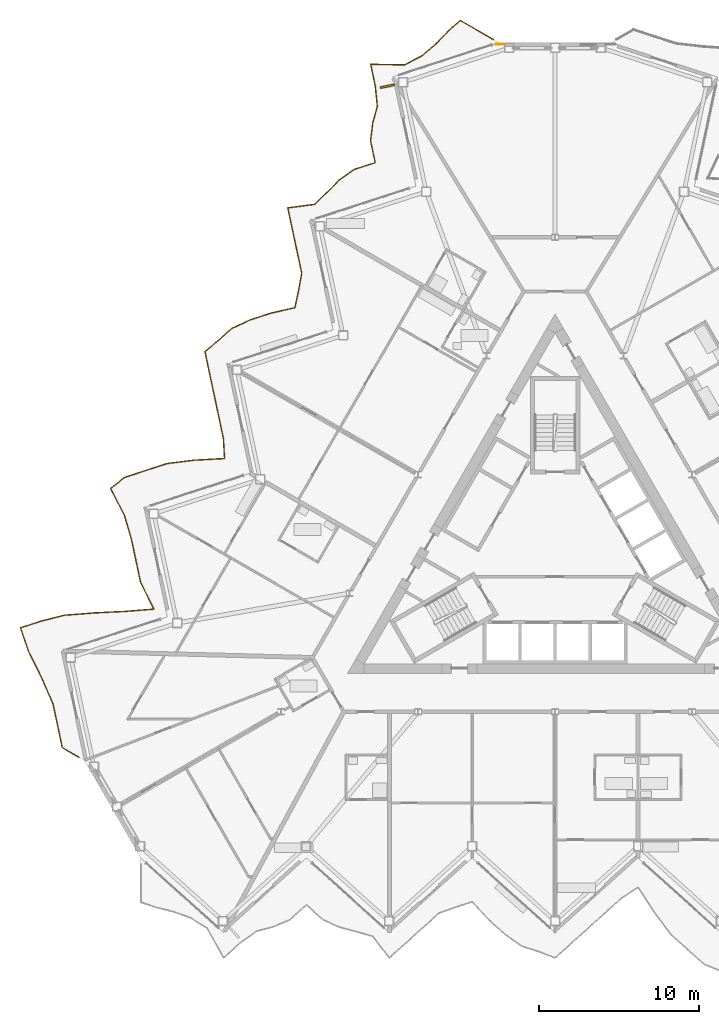
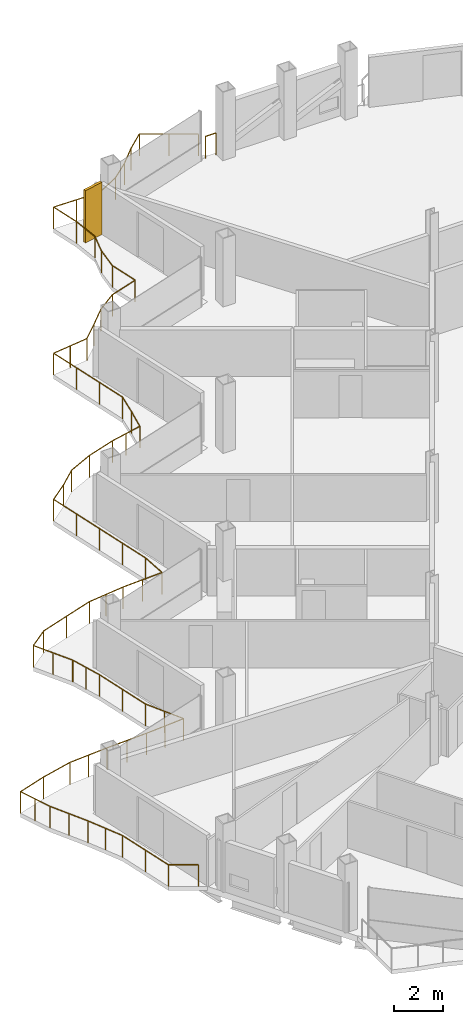
# One storey, part 25 of 28: 2 railings, 1 shading device.
"""IFC4 building model written with IfcOpenShell, lengths in metres."""

from ifc_helpers import new_model, si_unit, direction, frame, origin, origin_2d, place, context, subcontext, project, spatial, rectangle, circle, extrude, material, layer, layer_set, type_object, element, save


model = new_model("IFC4")

# Units and contexts
model_context = context("Model", 3, precision=1e-05, world=origin(), true_north=direction((0.0, 1.0)))
body_context = subcontext(model_context, "Body", "Model", "MODEL_VIEW")
ifc_project = project(units=[si_unit("LENGTHUNIT", "METRE"), si_unit("AREAUNIT", "SQUARE_METRE"), si_unit("VOLUMEUNIT", "CUBIC_METRE"), si_unit("PLANEANGLEUNIT", "RADIAN"), si_unit("MASSUNIT", "GRAM", prefix="KILO")], contexts=[model_context])

# Site, building, storey
site_placement = place(None, origin())
site = spatial("IfcSite", under=ifc_project, at=site_placement, CompositionType="ELEMENT")
building_placement = place(site_placement, origin())
building = spatial("IfcBuilding", under=site, at=building_placement, Name="Cormorant Prow Tower", CompositionType="ELEMENT")
storey_placement = place(building_placement, frame((0.0, 0.0, 305.199951171875)))
storey = spatial("IfcBuildingStorey", under=building, at=storey_placement, Name="L66", CompositionType="ELEMENT", Elevation=305.199951171875)

# Railings
ifc_material_1 = material(Name="Aluminium 6063-T6", Category="aluminium")
railing_type_1 = type_object("IfcRailingType", Name="Balcony guard 1100", PredefinedType="GUARDRAIL", material=ifc_material_1)
railing_1_placement = place(storey_placement, frame((-3.853759765625, 32.19482421875, 0.0)))
element("IfcRailing", 1, at=railing_1_placement, inside=storey, type_object=railing_type_1, Name="Balcony guard WNW", PredefinedType="GUARDRAIL", context=body_context, shape_type="SweptSolid", body=[
    extrude(circle(Radius=0.02392578125, at=origin_2d()), frame((0.0, 0.0, 1.076171875), z_axis=(-0.865984316205, 0.500071159023, 0.0), x_axis=(-0.500071159023, -0.865984316205, 0.0)), (0.0, 0.0, 1.0), 2.404052734375),
    extrude(circle(Radius=0.02392578125, at=origin_2d()), frame((-2.081787109375, 1.2021484375, 1.076171875), z_axis=(-0.747089038768, -0.664723978921, 0.0), x_axis=(0.664723978921, -0.747089038768, 0.0)), (0.0, 0.0, 1.0), 1.09375),
    extrude(circle(Radius=0.02392578125, at=origin_2d()), frame((-2.89892578125, 0.47509765625, 1.076171875), z_axis=(-0.694211586082, -0.719770987016, 0.0), x_axis=(0.719770987016, -0.694211586082, 0.0)), (0.0, 0.0, 1.0), 1.06982421875),
    extrude(circle(Radius=0.02392578125, at=origin_2d()), frame((-3.6416015625, -0.294921875, 1.076171875), z_axis=(-0.762032199561, -0.647539131507, 0.0), x_axis=(0.647539131507, -0.762032199561, 0.0)), (0.0, 0.0, 1.0), 1.1025390625),
    extrude(circle(Radius=0.02392578125, at=origin_2d()), frame((-4.481689453125, -1.0087890625, 1.076171875), z_axis=(-0.882981427981, -0.469407922644, 0.0), x_axis=(0.469407922644, -0.882981427981, 0.0)), (0.0, 0.0, 1.0), 1.224365234375),
    extrude(circle(Radius=0.02392578125, at=origin_2d()), frame((-5.562744140625, -1.58349609375, 1.076171875), z_axis=(-0.999864732402, 0.016447397928, 0.0), x_axis=(-0.016447397928, -0.999864732402, 0.0)), (0.0, 0.0, 1.0), 2.137451171875),
    extrude(circle(Radius=0.02392578125, at=origin_2d()), frame((-7.699951171875, -1.54833984375, 1.076171875), z_axis=(0.207929807467, -0.978143749746, 0.0), x_axis=(0.978143749746, 0.207929807467, 0.0)), (0.0, 0.0, 1.0), 1.397216796875),
    extrude(circle(Radius=0.02392578125, at=origin_2d()), frame((-7.409423828125, -2.9150390625, 1.076171875), z_axis=(0.097534282196, -0.995232165777, 0.0), x_axis=(0.995232165777, 0.097534282196, 0.0)), (0.0, 0.0, 1.0), 1.276611328125),
    extrude(circle(Radius=0.02392578125, at=origin_2d()), frame((-7.284912109375, -4.185546875, 1.076171875), z_axis=(-0.266293644334, -0.963891951926, 0.0), x_axis=(0.963891951926, -0.266293644334, 0.0)), (0.0, 0.0, 1.0), 1.07275390625),
    extrude(circle(Radius=0.02392578125, at=origin_2d()), frame((-7.570556640625, -5.219482421875, 1.076171875), z_axis=(-0.120971161182, -0.992656022075, 0.0), x_axis=(0.992656022075, -0.120971161182, 0.0)), (0.0, 0.0, 1.0), 1.128173828125),
    extrude(circle(Radius=0.02392578125, at=origin_2d()), frame((-7.70703125, -6.33935546875, 1.076171875), z_axis=(0.207798139517, -0.978171729919, 0.0), x_axis=(0.978171729919, 0.207798139517, 0.0)), (0.0, 0.0, 1.0), 1.39697265625),
    extrude(circle(Radius=0.02392578125, at=origin_2d()), frame((-7.416748046875, -7.705810546875, 1.076171875), z_axis=(-0.951016087818, -0.309141392751, 0.0), x_axis=(0.309141392751, -0.951016087818, 0.0)), (0.0, 0.0, 1.0), 1.39697265625),
    extrude(circle(Radius=0.02392578125, at=origin_2d()), frame((-8.745361328125, -8.1376953125, 1.076171875), z_axis=(-0.811729495463, -0.584033583106, 0.0), x_axis=(0.584033583106, -0.811729495463, 0.0)), (0.0, 0.0, 1.0), 1.138671875),
    extrude(circle(Radius=0.02392578125, at=origin_2d()), frame((-9.669677734375, -8.802734375, 1.076171875), z_axis=(-0.703572168412, -0.710623813165, 0.0), x_axis=(0.710623813165, -0.703572168412, 0.0)), (0.0, 0.0, 1.0), 1.0732421875),
    extrude(circle(Radius=0.02392578125, at=origin_2d()), frame((-10.4248046875, -9.5654296875, 1.076171875), z_axis=(-0.718102453364, -0.69593740126, 0.0), x_axis=(0.69593740126, -0.718102453364, 0.0)), (0.0, 0.0, 1.0), 1.079345703125),
    extrude(circle(Radius=0.02392578125, at=origin_2d()), frame((-11.199951171875, -10.316650390625, 1.076171875), z_axis=(-0.991439182662, -0.130569319074, 0.0), x_axis=(0.130569319074, -0.991439182662, 0.0)), (0.0, 0.0, 1.0), 1.705322265625),
    extrude(circle(Radius=0.02392578125, at=origin_2d()), frame((-12.890625, -10.539306640625, 1.076171875), z_axis=(0.207762621885, -0.978179274442, 0.0), x_axis=(0.978179274442, 0.207762621885, 0.0)), (0.0, 0.0, 1.0), 1.397216796875),
    extrude(circle(Radius=0.02392578125, at=origin_2d()), frame((-12.600341796875, -11.906005859375, 1.076171875), z_axis=(0.207965351097, -0.978136193351, 0.0), x_axis=(0.978136193351, 0.207965351097, 0.0)), (0.0, 0.0, 1.0), 1.39697265625),
    extrude(circle(Radius=0.02392578125, at=origin_2d()), frame((-12.309814453125, -13.2724609375, 1.076171875), z_axis=(0.207798139517, -0.978171729919, 0.0), x_axis=(0.978171729919, 0.207798139517, 0.0)), (0.0, 0.0, 1.0), 1.39697265625),
    extrude(circle(Radius=0.02392578125, at=origin_2d()), frame((-12.01953125, -14.638916015625, 1.076171875), z_axis=(-0.180074285146, -0.983653013938, 0.0), x_axis=(0.983653013938, -0.180074285146, 0.0)), (0.0, 0.0, 1.0), 1.102294921875),
    extrude(circle(Radius=0.02392578125, at=origin_2d()), frame((-12.218017578125, -15.72314453125, 1.076171875), z_axis=(-0.208490120926, -0.978024472841, 0.0), x_axis=(0.978024472841, -0.208490120926, 0.0)), (0.0, 0.0, 1.0), 1.09130859375),
    extrude(circle(Radius=0.02392578125, at=origin_2d()), frame((-12.445556640625, -16.79052734375, 1.076171875), z_axis=(-0.97526134755, -0.22105497953, 0.0), x_axis=(0.22105497953, -0.97526134755, 0.0)), (0.0, 0.0, 1.0), 1.528564453125),
    extrude(circle(Radius=0.02392578125, at=origin_2d()), frame((-13.936279296875, -17.12841796875, 1.076171875), z_axis=(-0.951016087818, -0.309141392751, 0.0), x_axis=(0.309141392751, -0.951016087818, 0.0)), (0.0, 0.0, 1.0), 1.39697265625),
    extrude(circle(Radius=0.02392578125, at=origin_2d()), frame((-15.264892578125, -17.560302734375, 1.076171875), z_axis=(-0.90494118241, -0.425536668665, 0.0), x_axis=(0.425536668665, -0.90494118241, 0.0)), (0.0, 0.0, 1.0), 1.264404296875),
    extrude(circle(Radius=0.02392578125, at=origin_2d()), frame((-16.4091796875, -18.098388671875, 1.076171875), z_axis=(-0.737479817062, -0.675369172694, 0.0), x_axis=(0.675369172694, -0.737479817062, 0.0)), (0.0, 0.0, 1.0), 1.0888671875),
    extrude(circle(Radius=0.02392578125, at=origin_2d()), frame((-17.212158203125, -18.833740234375, 1.076171875), z_axis=(-0.780505258853, -0.62514921491, 0.0), x_axis=(0.62514921491, -0.780505258853, 0.0)), (0.0, 0.0, 1.0), 1.1142578125),
    extrude(circle(Radius=0.02392578125, at=origin_2d()), frame((-18.081787109375, -19.5302734375, 1.076171875), z_axis=(0.207965351097, -0.978136193351, 0.0), x_axis=(0.978136193351, 0.207965351097, 0.0)), (0.0, 0.0, 1.0), 1.39697265625),
    extrude(circle(Radius=0.02392578125, at=origin_2d()), frame((-17.791259765625, -20.896728515625, 1.076171875), z_axis=(0.207929807467, -0.978143749746, 0.0), x_axis=(0.978143749746, 0.207929807467, 0.0)), (0.0, 0.0, 1.0), 1.397216796875),
    extrude(circle(Radius=0.02392578125, at=origin_2d()), frame((-17.500732421875, -22.263427734375, 1.076171875), z_axis=(0.207798139517, -0.978171729919, 0.0), x_axis=(0.978171729919, 0.207798139517, 0.0)), (0.0, 0.0, 1.0), 1.39697265625),
    extrude(circle(Radius=0.02392578125, at=origin_2d()), frame((-17.21044921875, -23.6298828125, 1.076171875), z_axis=(0.207965351097, -0.978136193351, 0.0), x_axis=(0.978136193351, 0.207965351097, 0.0)), (0.0, 0.0, 1.0), 1.39697265625),
    extrude(circle(Radius=0.02392578125, at=origin_2d()), frame((-16.919921875, -24.996337890625, 1.076171875), z_axis=(0.055317377538, -0.998468821618, 0.0), x_axis=(0.998468821618, 0.055317377538, 0.0)), (0.0, 0.0, 1.0), 1.240234375),
    extrude(circle(Radius=0.02392578125, at=origin_2d()), frame((-16.851318359375, -26.234619140625, 1.076171875), z_axis=(-0.998537593173, -0.054061770412, 0.0), x_axis=(0.054061770412, -0.998537593173, 0.0)), (0.0, 0.0, 1.0), 1.901123046875),
    extrude(circle(Radius=0.02392578125, at=origin_2d()), frame((-18.749755859375, -26.33740234375, 1.076171875), z_axis=(-0.992234125574, -0.124384243561, 0.0), x_axis=(0.124384243561, -0.992234125574, 0.0)), (0.0, 0.0, 1.0), 1.719482421875),
    extrude(circle(Radius=0.02392578125, at=origin_2d()), frame((-20.455810546875, -26.55126953125, 1.076171875), z_axis=(-0.951067455121, -0.308983326103, 0.0), x_axis=(0.308983326103, -0.951067455121, 0.0)), (0.0, 0.0, 1.0), 1.39697265625),
    extrude(circle(Radius=0.02392578125, at=origin_2d()), frame((-21.784423828125, -26.98291015625, 1.076171875), z_axis=(-0.949313575677, -0.314330614218, 0.0), x_axis=(0.314330614218, -0.949313575677, 0.0)), (0.0, 0.0, 1.0), 1.390380859375),
    extrude(circle(Radius=0.02392578125, at=origin_2d()), frame((-23.104248046875, -27.419921875, 1.076171875), z_axis=(-0.788529793252, -0.614996557026, 0.0), x_axis=(0.614996557026, -0.788529793252, 0.0)), (0.0, 0.0, 1.0), 1.119873046875),
    extrude(circle(Radius=0.02392578125, at=origin_2d()), frame((-23.9873046875, -28.108642578125, 1.076171875), z_axis=(0.455120067294, -0.890430078303, 0.0), x_axis=(0.890430078303, 0.455120067294, 0.0)), (0.0, 0.0, 1.0), 1.91015625),
    extrude(circle(Radius=0.02392578125, at=origin_2d()), frame((-23.117919921875, -29.8095703125, 1.076171875), z_axis=(0.282973475097, -0.95912773518, 0.0), x_axis=(0.95912773518, 0.282973475097, 0.0)), (0.0, 0.0, 1.0), 1.50634765625),
    extrude(circle(Radius=0.02392578125, at=origin_2d()), frame((-22.691650390625, -31.25439453125, 1.076171875), z_axis=(0.207965351097, -0.978136193351, 0.0), x_axis=(0.978136193351, 0.207965351097, 0.0)), (0.0, 0.0, 1.0), 1.39697265625),
    extrude(circle(Radius=0.02392578125, at=origin_2d()), frame((-22.401123046875, -32.620849609375, 1.076171875), z_axis=(0.207798139517, -0.978171729919, 0.0), x_axis=(0.978171729919, 0.207798139517, 0.0)), (0.0, 0.0, 1.0), 1.39697265625),
    extrude(circle(Radius=0.02392578125, at=origin_2d()), frame((-22.11083984375, -33.9873046875, 1.076171875), z_axis=(0.443664933893, -0.896192739556, 0.0), x_axis=(0.896192739556, 0.443664933893, 0.0)), (0.0, 0.0, 1.0), 1.873046875),
    extrude(circle(Radius=0.02392578125, at=origin_2d()), frame((-21.27978515625, -35.666015625, 1.076171875), z_axis=(-0.996893193601, -0.078765224254, 0.0), x_axis=(0.078765224254, -0.996893193601, 0.0)), (0.0, 0.0, 1.0), 1.831787109375),
    extrude(circle(Radius=0.02392578125, at=origin_2d()), frame((-23.10595703125, -35.810302734375, 1.076171875), z_axis=(-0.998816277505, -0.048641996176, 0.0), x_axis=(0.048641996176, -0.998816277505, 0.0)), (0.0, 0.0, 1.0), 1.917236328125),
    extrude(circle(Radius=0.02392578125, at=origin_2d()), frame((-25.02099609375, -35.903564453125, 1.076171875), z_axis=(-0.997045880711, -0.076808279228, 0.0), x_axis=(0.076808279228, -0.997045880711, 0.0)), (0.0, 0.0, 1.0), 1.837158203125),
    extrude(circle(Radius=0.02392578125, at=origin_2d()), frame((-26.852783203125, -36.044677734375, 1.076171875), z_axis=(-0.970449044261, -0.241306138529, 0.0), x_axis=(0.241306138529, -0.970449044261, 0.0)), (0.0, 0.0, 1.0), 1.495361328125),
    extrude(circle(Radius=0.02392578125, at=origin_2d()), frame((-28.303955078125, -36.405517578125, 1.076171875), z_axis=(-0.9510327847, -0.309090023174, 0.0), x_axis=(0.309090023174, -0.9510327847, 0.0)), (0.0, 0.0, 1.0), 1.397216796875),
    extrude(circle(Radius=0.02392578125, at=origin_2d()), frame((-29.6328125, -36.83740234375, 1.076171875), z_axis=(0.326565312027, -0.94517463835, 0.0), x_axis=(0.94517463835, 0.326565312027, 0.0)), (0.0, 0.0, 1.0), 1.584228515625),
    extrude(circle(Radius=0.02392578125, at=origin_2d()), frame((-29.115478515625, -38.334716796875, 1.076171875), z_axis=(0.442981034321, -0.896530982862, 0.0), x_axis=(0.896530982862, 0.442981034321, 0.0)), (0.0, 0.0, 1.0), 1.87109375),
    extrude(circle(Radius=0.02392578125, at=origin_2d()), frame((-28.28662109375, -40.01220703125, 1.076171875), z_axis=(0.398173143116, -0.917310279077, 0.0), x_axis=(0.917310279077, 0.398173143116, 0.0)), (0.0, 0.0, 1.0), 1.743896484375),
    extrude(circle(Radius=0.02392578125, at=origin_2d()), frame((-27.59228515625, -41.61181640625, 1.076171875), z_axis=(0.207965351097, -0.978136193351, 0.0), x_axis=(0.978136193351, 0.207965351097, 0.0)), (0.0, 0.0, 1.0), 1.39697265625),
    extrude(circle(Radius=0.02392578125, at=origin_2d()), frame((-27.3017578125, -42.978271484375, 1.076171875), z_axis=(0.207965351097, -0.978136193351, 0.0), x_axis=(0.978136193351, 0.207965351097, 0.0)), (0.0, 0.0, 1.0), 1.39697265625),
    extrude(circle(Radius=0.02392578125, at=origin_2d()), frame((-27.01123046875, -44.3447265625, 1.076171875), z_axis=(0.865955602162, -0.500120880472, 0.0), x_axis=(0.500120880472, 0.865955602162, 0.0)), (0.0, 0.0, 1.0), 1.219970703125),
    extrude(circle(Radius=0.02099609375, at=origin_2d()), origin(), (0.0, 0.0, 1.0), 1.052001953125),
    extrude(circle(Radius=0.02099609375, at=origin_2d()), frame((-1.041015625, 0.60107421875, 0.0)), (0.0, 0.0, 1.0), 1.052001953125),
    extrude(circle(Radius=0.02099609375, at=origin_2d()), frame((-2.081787109375, 1.2021484375, 0.0)), (0.0, 0.0, 1.0), 1.052001953125),
    extrude(circle(Radius=0.02099609375, at=origin_2d()), frame((-2.89892578125, 0.47509765625, 0.0)), (0.0, 0.0, 1.0), 1.052001953125),
    extrude(circle(Radius=0.02099609375, at=origin_2d()), frame((-3.6416015625, -0.294921875, 0.0)), (0.0, 0.0, 1.0), 1.052001953125),
    extrude(circle(Radius=0.02099609375, at=origin_2d()), frame((-4.481689453125, -1.0087890625, 0.0)), (0.0, 0.0, 1.0), 1.052001953125),
    extrude(circle(Radius=0.02099609375, at=origin_2d()), frame((-5.562744140625, -1.58349609375, 0.0)), (0.0, 0.0, 1.0), 1.052001953125),
    extrude(circle(Radius=0.02099609375, at=origin_2d()), frame((-6.63134765625, -1.56591796875, 0.0)), (0.0, 0.0, 1.0), 1.052001953125),
    extrude(circle(Radius=0.02099609375, at=origin_2d()), frame((-7.699951171875, -1.54833984375, 0.0)), (0.0, 0.0, 1.0), 1.052001953125),
    extrude(circle(Radius=0.02099609375, at=origin_2d()), frame((-7.409423828125, -2.9150390625, 0.0)), (0.0, 0.0, 1.0), 1.052001953125),
    extrude(circle(Radius=0.02099609375, at=origin_2d()), frame((-7.284912109375, -4.185546875, 0.0)), (0.0, 0.0, 1.0), 1.052001953125),
    extrude(circle(Radius=0.02099609375, at=origin_2d()), frame((-7.570556640625, -5.219482421875, 0.0)), (0.0, 0.0, 1.0), 1.052001953125),
    extrude(circle(Radius=0.02099609375, at=origin_2d()), frame((-7.70703125, -6.33935546875, 0.0)), (0.0, 0.0, 1.0), 1.052001953125),
    extrude(circle(Radius=0.02099609375, at=origin_2d()), frame((-7.416748046875, -7.705810546875, 0.0)), (0.0, 0.0, 1.0), 1.052001953125),
    extrude(circle(Radius=0.02099609375, at=origin_2d()), frame((-8.745361328125, -8.1376953125, 0.0)), (0.0, 0.0, 1.0), 1.052001953125),
    extrude(circle(Radius=0.02099609375, at=origin_2d()), frame((-9.669677734375, -8.802734375, 0.0)), (0.0, 0.0, 1.0), 1.052001953125),
    extrude(circle(Radius=0.02099609375, at=origin_2d()), frame((-10.4248046875, -9.5654296875, 0.0)), (0.0, 0.0, 1.0), 1.052001953125),
    extrude(circle(Radius=0.02099609375, at=origin_2d()), frame((-11.199951171875, -10.316650390625, 0.0)), (0.0, 0.0, 1.0), 1.052001953125),
    extrude(circle(Radius=0.02099609375, at=origin_2d()), frame((-12.04541015625, -10.427978515625, 0.0)), (0.0, 0.0, 1.0), 1.052001953125),
    extrude(circle(Radius=0.02099609375, at=origin_2d()), frame((-12.890625, -10.539306640625, 0.0)), (0.0, 0.0, 1.0), 1.052001953125),
    extrude(circle(Radius=0.02099609375, at=origin_2d()), frame((-12.600341796875, -11.906005859375, 0.0)), (0.0, 0.0, 1.0), 1.052001953125),
    extrude(circle(Radius=0.02099609375, at=origin_2d()), frame((-12.309814453125, -13.2724609375, 0.0)), (0.0, 0.0, 1.0), 1.052001953125),
    extrude(circle(Radius=0.02099609375, at=origin_2d()), frame((-12.01953125, -14.638916015625, 0.0)), (0.0, 0.0, 1.0), 1.052001953125),
    extrude(circle(Radius=0.02099609375, at=origin_2d()), frame((-12.218017578125, -15.72314453125, 0.0)), (0.0, 0.0, 1.0), 1.052001953125),
    extrude(circle(Radius=0.02099609375, at=origin_2d()), frame((-12.445556640625, -16.79052734375, 0.0)), (0.0, 0.0, 1.0), 1.052001953125),
    extrude(circle(Radius=0.02099609375, at=origin_2d()), frame((-13.19091796875, -16.95947265625, 0.0)), (0.0, 0.0, 1.0), 1.052001953125),
    extrude(circle(Radius=0.02099609375, at=origin_2d()), frame((-13.936279296875, -17.12841796875, 0.0)), (0.0, 0.0, 1.0), 1.052001953125),
    extrude(circle(Radius=0.02099609375, at=origin_2d()), frame((-15.264892578125, -17.560302734375, 0.0)), (0.0, 0.0, 1.0), 1.052001953125),
    extrude(circle(Radius=0.02099609375, at=origin_2d()), frame((-16.4091796875, -18.098388671875, 0.0)), (0.0, 0.0, 1.0), 1.052001953125),
    extrude(circle(Radius=0.02099609375, at=origin_2d()), frame((-17.212158203125, -18.833740234375, 0.0)), (0.0, 0.0, 1.0), 1.052001953125),
    extrude(circle(Radius=0.02099609375, at=origin_2d()), frame((-18.081787109375, -19.5302734375, 0.0)), (0.0, 0.0, 1.0), 1.052001953125),
    extrude(circle(Radius=0.02099609375, at=origin_2d()), frame((-17.791259765625, -20.896728515625, 0.0)), (0.0, 0.0, 1.0), 1.052001953125),
    extrude(circle(Radius=0.02099609375, at=origin_2d()), frame((-17.500732421875, -22.263427734375, 0.0)), (0.0, 0.0, 1.0), 1.052001953125),
    extrude(circle(Radius=0.02099609375, at=origin_2d()), frame((-17.21044921875, -23.6298828125, 0.0)), (0.0, 0.0, 1.0), 1.052001953125),
    extrude(circle(Radius=0.02099609375, at=origin_2d()), frame((-16.919921875, -24.996337890625, 0.0)), (0.0, 0.0, 1.0), 1.052001953125),
    extrude(circle(Radius=0.02099609375, at=origin_2d()), frame((-16.851318359375, -26.234619140625, 0.0)), (0.0, 0.0, 1.0), 1.052001953125),
    extrude(circle(Radius=0.02099609375, at=origin_2d()), frame((-17.800537109375, -26.2861328125, 0.0)), (0.0, 0.0, 1.0), 1.052001953125),
    extrude(circle(Radius=0.02099609375, at=origin_2d()), frame((-18.749755859375, -26.33740234375, 0.0)), (0.0, 0.0, 1.0), 1.052001953125),
    extrude(circle(Radius=0.02099609375, at=origin_2d()), frame((-19.602783203125, -26.4443359375, 0.0)), (0.0, 0.0, 1.0), 1.052001953125),
    extrude(circle(Radius=0.02099609375, at=origin_2d()), frame((-20.455810546875, -26.55126953125, 0.0)), (0.0, 0.0, 1.0), 1.052001953125),
    extrude(circle(Radius=0.02099609375, at=origin_2d()), frame((-21.784423828125, -26.98291015625, 0.0)), (0.0, 0.0, 1.0), 1.052001953125),
    extrude(circle(Radius=0.02099609375, at=origin_2d()), frame((-23.104248046875, -27.419921875, 0.0)), (0.0, 0.0, 1.0), 1.052001953125),
    extrude(circle(Radius=0.02099609375, at=origin_2d()), frame((-23.9873046875, -28.108642578125, 0.0)), (0.0, 0.0, 1.0), 1.052001953125),
    extrude(circle(Radius=0.02099609375, at=origin_2d()), frame((-23.552734375, -28.958984375, 0.0)), (0.0, 0.0, 1.0), 1.052001953125),
    extrude(circle(Radius=0.02099609375, at=origin_2d()), frame((-23.117919921875, -29.8095703125, 0.0)), (0.0, 0.0, 1.0), 1.052001953125),
    extrude(circle(Radius=0.02099609375, at=origin_2d()), frame((-22.90478515625, -30.531982421875, 0.0)), (0.0, 0.0, 1.0), 1.052001953125),
    extrude(circle(Radius=0.02099609375, at=origin_2d()), frame((-22.691650390625, -31.25439453125, 0.0)), (0.0, 0.0, 1.0), 1.052001953125),
    extrude(circle(Radius=0.02099609375, at=origin_2d()), frame((-22.401123046875, -32.620849609375, 0.0)), (0.0, 0.0, 1.0), 1.052001953125),
    extrude(circle(Radius=0.02099609375, at=origin_2d()), frame((-22.11083984375, -33.9873046875, 0.0)), (0.0, 0.0, 1.0), 1.052001953125),
    extrude(circle(Radius=0.02099609375, at=origin_2d()), frame((-21.6953125, -34.82666015625, 0.0)), (0.0, 0.0, 1.0), 1.052001953125),
    extrude(circle(Radius=0.02099609375, at=origin_2d()), frame((-21.27978515625, -35.666015625, 0.0)), (0.0, 0.0, 1.0), 1.052001953125),
    extrude(circle(Radius=0.02099609375, at=origin_2d()), frame((-22.19287109375, -35.73828125, 0.0)), (0.0, 0.0, 1.0), 1.052001953125),
    extrude(circle(Radius=0.02099609375, at=origin_2d()), frame((-23.10595703125, -35.810302734375, 0.0)), (0.0, 0.0, 1.0), 1.052001953125),
    extrude(circle(Radius=0.02099609375, at=origin_2d()), frame((-24.0634765625, -35.85693359375, 0.0)), (0.0, 0.0, 1.0), 1.052001953125),
    extrude(circle(Radius=0.02099609375, at=origin_2d()), frame((-25.02099609375, -35.903564453125, 0.0)), (0.0, 0.0, 1.0), 1.052001953125),
    extrude(circle(Radius=0.02099609375, at=origin_2d()), frame((-25.93701171875, -35.97412109375, 0.0)), (0.0, 0.0, 1.0), 1.052001953125),
    extrude(circle(Radius=0.02099609375, at=origin_2d()), frame((-26.852783203125, -36.044677734375, 0.0)), (0.0, 0.0, 1.0), 1.052001953125),
    extrude(circle(Radius=0.02099609375, at=origin_2d()), frame((-28.303955078125, -36.405517578125, 0.0)), (0.0, 0.0, 1.0), 1.052001953125),
    extrude(circle(Radius=0.02099609375, at=origin_2d()), frame((-29.6328125, -36.83740234375, 0.0)), (0.0, 0.0, 1.0), 1.052001953125),
    extrude(circle(Radius=0.02099609375, at=origin_2d()), frame((-29.3740234375, -37.5859375, 0.0)), (0.0, 0.0, 1.0), 1.052001953125),
    extrude(circle(Radius=0.02099609375, at=origin_2d()), frame((-29.115478515625, -38.334716796875, 0.0)), (0.0, 0.0, 1.0), 1.052001953125),
    extrude(circle(Radius=0.02099609375, at=origin_2d()), frame((-28.701171875, -39.17333984375, 0.0)), (0.0, 0.0, 1.0), 1.052001953125),
    extrude(circle(Radius=0.02099609375, at=origin_2d()), frame((-28.28662109375, -40.01220703125, 0.0)), (0.0, 0.0, 1.0), 1.052001953125),
    extrude(circle(Radius=0.02099609375, at=origin_2d()), frame((-27.939453125, -40.81201171875, 0.0)), (0.0, 0.0, 1.0), 1.052001953125),
    extrude(circle(Radius=0.02099609375, at=origin_2d()), frame((-27.59228515625, -41.61181640625, 0.0)), (0.0, 0.0, 1.0), 1.052001953125),
    extrude(circle(Radius=0.02099609375, at=origin_2d()), frame((-27.3017578125, -42.978271484375, 0.0)), (0.0, 0.0, 1.0), 1.052001953125),
    extrude(circle(Radius=0.02099609375, at=origin_2d()), frame((-27.01123046875, -44.3447265625, 0.0)), (0.0, 0.0, 1.0), 1.052001953125),
    extrude(circle(Radius=0.02099609375, at=origin_2d()), frame((-25.954833984375, -44.954833984375, 0.0)), (0.0, 0.0, 1.0), 1.052001953125),
])
ifc_material_2 = material(Name="Stainless steel", Category="steel")
railing_type_2 = type_object("IfcRailingType", Name="Facade corner guard 1100", PredefinedType="GUARDRAIL", material=ifc_material_2)
railing_2_placement = place(storey_placement, frame((-3.68505859375, 31.89990234375, 0.0)))
element("IfcRailing", 2, at=railing_2_placement, inside=storey, type_object=railing_type_2, Name="Facade corner guard L66 1", PredefinedType="GUARDRAIL", context=body_context, shape_type="SweptSolid", body=[
    extrude(circle(Radius=0.02392578125, at=origin_2d()), frame((0.0, 0.0, 1.076171875), z_axis=(1.0, 0.0, 0.0), x_axis=(0.0, 1.0, 0.0)), (0.0, 0.0, 1.0), 0.4912109375),
    extrude(circle(Radius=0.02099609375, at=origin_2d()), origin(), (0.0, 0.0, 1.0), 1.052001953125),
    extrude(circle(Radius=0.02099609375, at=origin_2d()), frame((0.4912109375, 0.0, 0.0)), (0.0, 0.0, 1.0), 1.052001953125),
])

# Shading device
ifc_material_3 = material(Name="Terracotta", Category="masonry")
ifc_layer = layer(ifc_material_3, 0.1201171875)
ifc_layer_set = layer_set([ifc_layer], Name="Terracotta")
shading_device_type = type_object("IfcShadingDeviceType", Name="Terracotta baguette fin 120x900x2600", PredefinedType="USERDEFINED", material=ifc_layer_set)
shading_device_placement = place(storey_placement, frame((-10.50537109375, 29.26953125, 0.0), z_axis=(0.0, 0.0, 1.0), x_axis=(0.207911662683, -0.978147606714, 0.0)))
element("IfcShadingDevice", 3, at=shading_device_placement, inside=storey, type_object=shading_device_type, Name="Baguette fin WNW01", ObjectType="BAGUETTE", PredefinedType="USERDEFINED", context=body_context, shape_type="SweptSolid", body=[
    extrude(rectangle(XDim=0.1201171875, YDim=0.89990234375, at=origin_2d()), origin(), (0.0, 0.0, 1.0), 2.60009765625),
])

save(model, "model.ifc")
